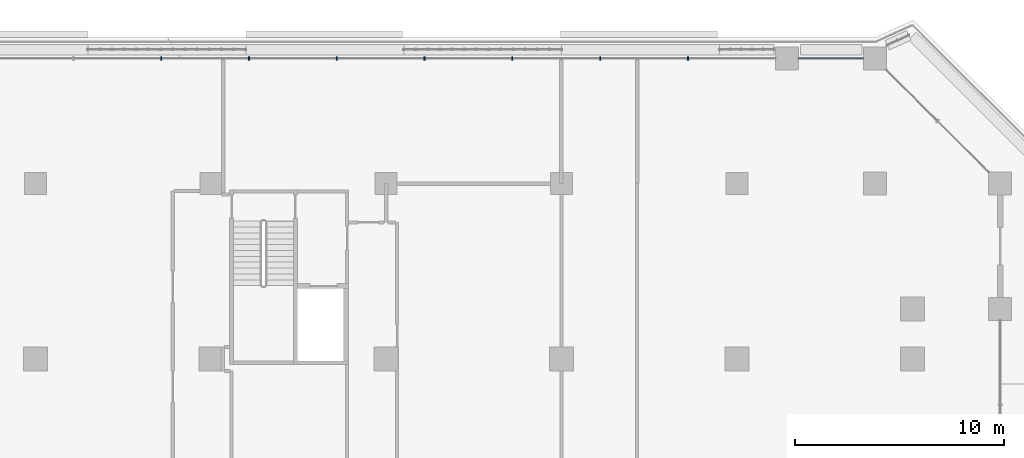
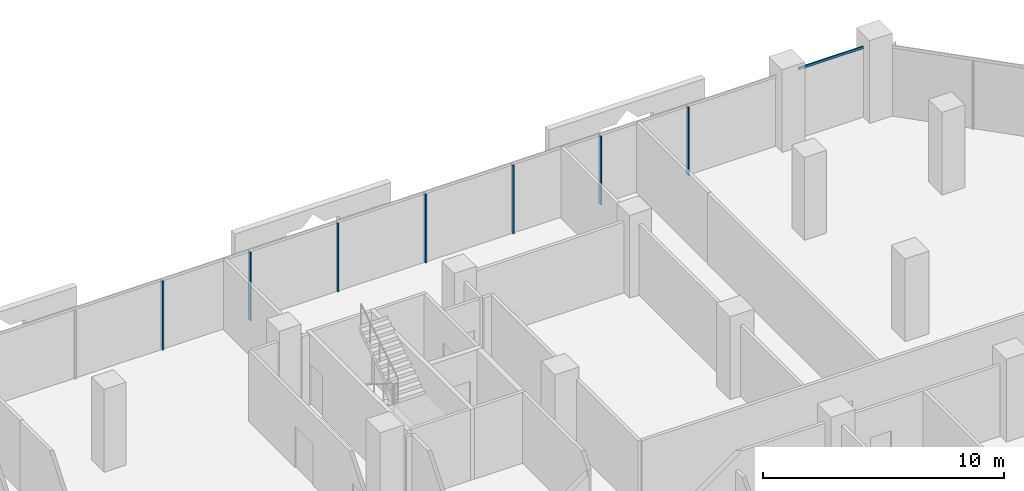
# One storey, part 11 of 29: 8 members, 1 element without a shape of its own.
"""IFC4 building model written with IfcOpenShell, lengths in metres."""

from ifc_helpers import new_model, si_unit, direction, frame, origin, origin_2d, place, context, subcontext, project, spatial, rectangle, extrude, material, layer, layer_set, material_profile, profile_set, type_object, element, aggregate, save


model = new_model("IFC4")

# Units and contexts
model_context = context("Model", 3, precision=1e-05, world=origin(), true_north=direction((0.0, 1.0)))
body_context = subcontext(model_context, "Body", "Model", "MODEL_VIEW")
ifc_project = project(units=[si_unit("LENGTHUNIT", "METRE"), si_unit("AREAUNIT", "SQUARE_METRE"), si_unit("VOLUMEUNIT", "CUBIC_METRE"), si_unit("PLANEANGLEUNIT", "RADIAN"), si_unit("MASSUNIT", "GRAM", prefix="KILO")], contexts=[model_context])

# Site, building, storey
site_placement = place(None, origin())
site = spatial("IfcSite", under=ifc_project, at=site_placement, CompositionType="ELEMENT")
building_placement = place(site_placement, origin())
building = spatial("IfcBuilding", under=site, at=building_placement, Name="Kawkab Arch Medical Tower", CompositionType="ELEMENT")
storey_placement = place(building_placement, frame((0.0, 0.0, 107.199951171875)))
storey = spatial("IfcBuildingStorey", under=building, at=storey_placement, Name="L24", CompositionType="ELEMENT", Elevation=107.199951171875)

# Curtain wall, members
ifc_material_1 = material(Name="Bronze anodised aluminium curtain wall frame", Category="aluminium")
ifc_layer = layer(ifc_material_1, 0.159912109375)
ifc_layer_set = layer_set([ifc_layer], Name="Bronze anodised aluminium curtain wall frame")
curtain_wall_type = type_object("IfcCurtainWallType", Name="CW1 ward curtain wall", PredefinedType="NOTDEFINED", material=ifc_layer_set)
curtain_wall_placement = place(storey_placement, origin())
curtain_wall = element("IfcCurtainWall", 1, at=curtain_wall_placement, inside=storey, type_object=curtain_wall_type, Name="CW1 Ward curtain wall R11", PredefinedType="NOTDEFINED")
ifc_material_2 = material(Name="Bronze anodised aluminium curtain wall frame", Category="aluminium")
ifc_material_profile_1 = material_profile(ifc_material_2, rectangle(XDim=0.179931640625, YDim=0.06005859375, at=origin_2d()), Name="AL 60x180")
ifc_profile_set_1 = profile_set([ifc_material_profile_1], Name="Bronze anodised aluminium curtain wall frame")
member_type_1 = type_object("IfcMemberType", Name="CW1 mullion 60 x 180", PredefinedType="MULLION", material=ifc_profile_set_1)
member_1_placement = place(storey_placement, frame((64.8466796875, 6.0, 0.0), z_axis=(0.0, 0.0, 1.0), x_axis=(0.0, -1.0, 0.0)))
member_1 = element("IfcMember", 2, at=member_1_placement, type_object=member_type_1, Name="CW1 mullion 2.1", PredefinedType="MULLION", context=body_context, shape_type="SweptSolid", body=[
    extrude(rectangle(XDim=0.179931640625, YDim=0.06005859375, at=origin_2d()), origin(), (0.0, 0.0, 1.0), 3.47998046875),
])
member_2_placement = place(storey_placement, frame((60.643310546875, 6.0, 0.0), z_axis=(0.0, 0.0, 1.0), x_axis=(0.0, -1.0, 0.0)))
member_2 = element("IfcMember", 3, at=member_2_placement, type_object=member_type_1, Name="CW1 mullion 2.2", PredefinedType="MULLION", context=body_context, shape_type="SweptSolid", body=[
    extrude(rectangle(XDim=0.179931640625, YDim=0.06005859375, at=origin_2d()), origin(), (0.0, 0.0, 1.0), 3.47998046875),
])
member_3_placement = place(storey_placement, frame((56.43994140625, 6.0, 0.0), z_axis=(0.0, 0.0, 1.0), x_axis=(0.0, -1.0, 0.0)))
member_3 = element("IfcMember", 4, at=member_3_placement, type_object=member_type_1, Name="CW1 mullion 2.3", PredefinedType="MULLION", context=body_context, shape_type="SweptSolid", body=[
    extrude(rectangle(XDim=0.179931640625, YDim=0.06005859375, at=origin_2d()), origin(), (0.0, 0.0, 1.0), 3.47998046875),
])
member_4_placement = place(storey_placement, frame((52.236572265625, 6.0, 0.0), z_axis=(0.0, 0.0, 1.0), x_axis=(0.0, -1.0, 0.0)))
member_4 = element("IfcMember", 5, at=member_4_placement, type_object=member_type_1, Name="CW1 mullion 2.4", PredefinedType="MULLION", context=body_context, shape_type="SweptSolid", body=[
    extrude(rectangle(XDim=0.179931640625, YDim=0.06005859375, at=origin_2d()), origin(), (0.0, 0.0, 1.0), 3.47998046875),
])
member_5_placement = place(storey_placement, frame((48.033447265625, 6.0, 0.0), z_axis=(0.0, 0.0, 1.0), x_axis=(0.0, -1.0, 0.0)))
member_5 = element("IfcMember", 6, at=member_5_placement, type_object=member_type_1, Name="CW1 mullion 2.5", PredefinedType="MULLION", context=body_context, shape_type="SweptSolid", body=[
    extrude(rectangle(XDim=0.179931640625, YDim=0.06005859375, at=origin_2d()), origin(), (0.0, 0.0, 1.0), 3.47998046875),
])
member_6_placement = place(storey_placement, frame((43.830078125, 6.0, 0.0), z_axis=(0.0, 0.0, 1.0), x_axis=(0.0, -1.0, 0.0)))
member_6 = element("IfcMember", 7, at=member_6_placement, type_object=member_type_1, Name="CW1 mullion 2.6", PredefinedType="MULLION", context=body_context, shape_type="SweptSolid", body=[
    extrude(rectangle(XDim=0.179931640625, YDim=0.06005859375, at=origin_2d()), origin(), (0.0, 0.0, 1.0), 3.47998046875),
])
member_7_placement = place(storey_placement, frame((39.626708984375, 6.0, 0.0), z_axis=(0.0, 0.0, 1.0), x_axis=(0.0, -1.0, 0.0)))
member_7 = element("IfcMember", 8, at=member_7_placement, type_object=member_type_1, Name="CW1 mullion 2.7", PredefinedType="MULLION", context=body_context, shape_type="SweptSolid", body=[
    extrude(rectangle(XDim=0.179931640625, YDim=0.06005859375, at=origin_2d()), origin(), (0.0, 0.0, 1.0), 3.47998046875),
])
ifc_material_3 = material(Name="Bronze anodised aluminium curtain wall frame", Category="aluminium")
ifc_material_profile_2 = material_profile(ifc_material_3, rectangle(XDim=0.06005859375, YDim=0.1201171875, at=origin_2d()), Name="AL 60x120")
ifc_profile_set_2 = profile_set([ifc_material_profile_2], Name="Bronze anodised aluminium curtain wall frame")
member_type_2 = type_object("IfcMemberType", Name="CW1 transom 120 x 60", PredefinedType="USERDEFINED", material=ifc_profile_set_2)
member_8_placement = place(storey_placement, frame((73.25, 6.0, 3.5400390625), z_axis=(-1.0, 0.0, 0.0), x_axis=(0.0, -1.0, 0.0)))
member_8 = element("IfcMember", 9, at=member_8_placement, type_object=member_type_2, Name="CW1 transom 1", ObjectType="TRANSOM", PredefinedType="USERDEFINED", context=body_context, shape_type="SweptSolid", body=[
    extrude(rectangle(XDim=0.06005859375, YDim=0.1201171875, at=origin_2d()), origin(), (0.0, 0.0, 1.0), 3.10009765625),
])
aggregate(curtain_wall, [member_8, member_1, member_2, member_3, member_4, member_5, member_6, member_7])

save(model, "model.ifc")
